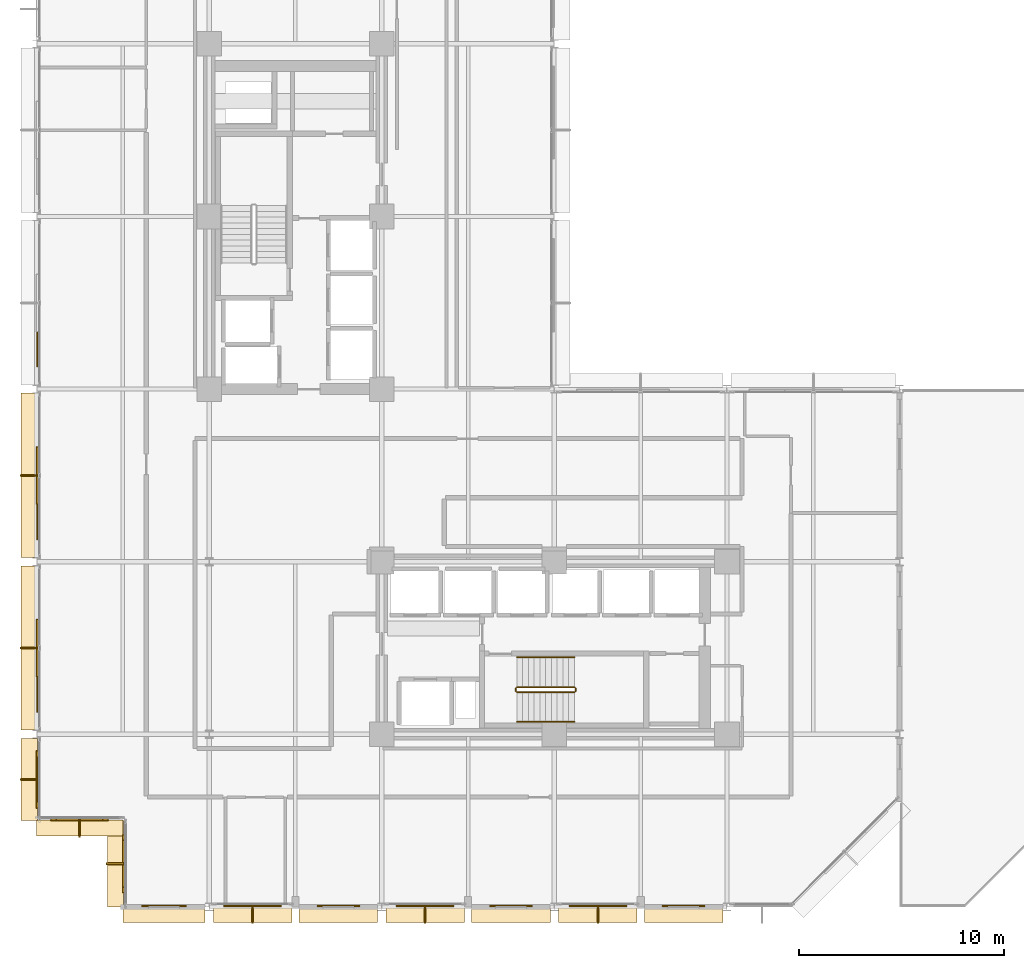
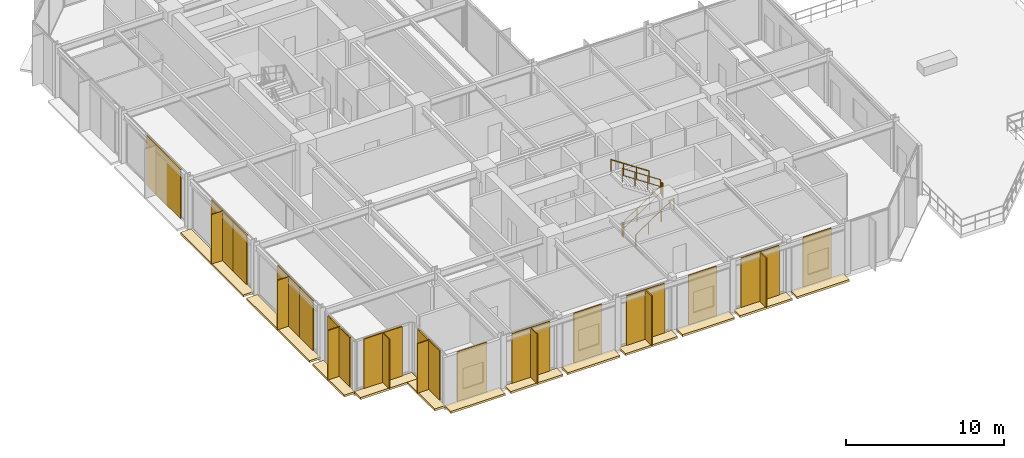
# One storey, part 22 of 25: 25 coverings, 16 shading devices, 6 railings.
"""IFC4 building model written with IfcOpenShell, lengths in metres."""

from ifc_helpers import new_model, si_unit, direction, frame, origin, origin_2d, place, context, subcontext, project, spatial, polyline, rectangle, circle, outline, extrude, material, layer, layer_set, type_object, element, save


model = new_model("IFC4")

# Units and contexts
model_context = context("Model", 3, precision=1e-05, world=origin(), true_north=direction((0.0, 1.0)))
body_context = subcontext(model_context, "Body", "Model", "MODEL_VIEW")
ifc_project = project(units=[si_unit("LENGTHUNIT", "METRE"), si_unit("AREAUNIT", "SQUARE_METRE"), si_unit("VOLUMEUNIT", "CUBIC_METRE"), si_unit("PLANEANGLEUNIT", "RADIAN"), si_unit("MASSUNIT", "GRAM", prefix="KILO")], contexts=[model_context])

# Site, building, storey
site_placement = place(None, origin())
site = spatial("IfcSite", under=ifc_project, at=site_placement, CompositionType="ELEMENT")
building_placement = place(site_placement, origin())
building = spatial("IfcBuilding", under=site, at=building_placement, Name="Nerrivon Quay Data Exchange", CompositionType="ELEMENT")
storey_placement = place(building_placement, frame((0.0, 0.0, 113.10009765625)))
storey = spatial("IfcBuildingStorey", under=building, at=storey_placement, Name="L26", CompositionType="ELEMENT", Elevation=113.10009765625)

# Coverings
ifc_material_1 = material(Name="Architectural terracotta ceramic", Category="masonry")
ifc_layer_1 = layer(ifc_material_1, 0.159912109375)
ifc_layer_set_1 = layer_set([ifc_layer_1], Name="Architectural terracotta ceramic")
covering_type_1 = type_object("IfcCoveringType", Name="COV-BLD-TERR", PredefinedType="CLADDING", material=ifc_layer_set_1)
covering_1_placement = place(storey_placement, frame((0.0, 0.0, -0.16015625)))
element("IfcCovering", 1, at=covering_1_placement, inside=storey, type_object=covering_type_1, Name="L26 Horizontal Terracotta SOLAR SCREEN Blade", PredefinedType="CLADDING", context=body_context, shape_type="SweptSolid", body=[
    extrude(outline(polyline([(33.39990234375, 0.0400390625), (29.574951171875, 0.0400390625), (29.574951171875, -0.75), (33.39990234375, -0.75), (33.39990234375, 0.0400390625)])), origin(), (0.0, 0.0, 1.0), 0.16015625),
])
covering_2_placement = place(storey_placement, frame((0.0, 0.0, -0.16015625)))
element("IfcCovering", 2, at=covering_2_placement, inside=storey, type_object=covering_type_1, Name="L26 Horizontal Terracotta SOLAR SCREEN Blade", PredefinedType="CLADDING", context=body_context, shape_type="SweptSolid", body=[
    extrude(outline(polyline([(29.22509765625, 0.0400390625), (25.39990234375, 0.0400390625), (25.39990234375, -0.75), (29.22509765625, -0.75), (29.22509765625, 0.0400390625)])), origin(), (0.0, 0.0, 1.0), 0.16015625),
])
covering_3_placement = place(storey_placement, frame((0.0, 0.0, -0.16015625)))
element("IfcCovering", 3, at=covering_3_placement, inside=storey, type_object=covering_type_1, Name="L26 Horizontal Terracotta SOLAR SCREEN Blade", PredefinedType="CLADDING", context=body_context, shape_type="SweptSolid", body=[
    extrude(outline(polyline([(25.0, 0.0400390625), (21.175048828125, 0.0400390625), (21.175048828125, -0.75), (25.0, -0.75), (25.0, 0.0400390625)])), origin(), (0.0, 0.0, 1.0), 0.16015625),
])
covering_4_placement = place(storey_placement, frame((0.0, 0.0, -0.16015625)))
element("IfcCovering", 4, at=covering_4_placement, inside=storey, type_object=covering_type_1, Name="L26 Horizontal Terracotta SOLAR SCREEN Blade", PredefinedType="CLADDING", context=body_context, shape_type="SweptSolid", body=[
    extrude(outline(polyline([(20.824951171875, 0.0400390625), (17.0, 0.0400390625), (17.0, -0.75), (20.824951171875, -0.75), (20.824951171875, 0.0400390625)])), origin(), (0.0, 0.0, 1.0), 0.16015625),
])
covering_5_placement = place(storey_placement, frame((0.0, 0.0, -0.16015625)))
element("IfcCovering", 5, at=covering_5_placement, inside=storey, type_object=covering_type_1, Name="L26 Horizontal Terracotta SOLAR SCREEN Blade", PredefinedType="CLADDING", context=body_context, shape_type="SweptSolid", body=[
    extrude(outline(polyline([(16.60009765625, 0.0400390625), (12.77490234375, 0.0400390625), (12.77490234375, -0.75), (16.60009765625, -0.75), (16.60009765625, 0.0400390625)])), origin(), (0.0, 0.0, 1.0), 0.16015625),
])
covering_6_placement = place(storey_placement, frame((0.0, 0.0, -0.16015625)))
element("IfcCovering", 6, at=covering_6_placement, inside=storey, type_object=covering_type_1, Name="L26 Horizontal Terracotta SOLAR SCREEN Blade", PredefinedType="CLADDING", context=body_context, shape_type="SweptSolid", body=[
    extrude(outline(polyline([(12.425048828125, 0.0400390625), (8.60009765625, 0.0400390625), (8.60009765625, -0.75), (12.425048828125, -0.75), (12.425048828125, 0.0400390625)])), origin(), (0.0, 0.0, 1.0), 0.16015625),
])
covering_7_placement = place(storey_placement, frame((0.0, 0.0, -0.16015625)))
element("IfcCovering", 7, at=covering_7_placement, inside=storey, type_object=covering_type_1, Name="L26 Horizontal Terracotta SOLAR SCREEN Blade", PredefinedType="CLADDING", context=body_context, shape_type="SweptSolid", body=[
    extrude(outline(polyline([(8.199951171875, 0.0400390625), (4.199951171875, 0.0400390625), (4.199951171875, -0.75), (8.199951171875, -0.75), (8.199951171875, 0.0400390625)])), origin(), (0.0, 0.0, 1.0), 0.16015625),
])
covering_8_placement = place(storey_placement, frame((0.0, 0.0, -0.16015625)))
element("IfcCovering", 8, at=covering_8_placement, inside=storey, type_object=covering_type_1, Name="L26 Horizontal Terracotta SOLAR SCREEN Blade", PredefinedType="CLADDING", context=body_context, shape_type="SweptSolid", body=[
    extrude(outline(polyline([(4.239990234375, 0.0), (4.239990234375, 4.199951171875), (3.449951171875, 4.199951171875), (3.449951171875, 0.0), (4.239990234375, 0.0)])), origin(), (0.0, 0.0, 1.0), 0.16015625),
])
covering_9_placement = place(storey_placement, frame((0.0, 0.0, -0.16015625)))
element("IfcCovering", 9, at=covering_9_placement, inside=storey, type_object=covering_type_1, Name="L26 Horizontal Terracotta SOLAR SCREEN Blade", PredefinedType="CLADDING", context=body_context, shape_type="SweptSolid", body=[
    extrude(outline(polyline([(4.199951171875, 4.239990234375), (0.0, 4.239990234375), (0.0, 3.449951171875), (4.199951171875, 3.449951171875), (4.199951171875, 4.239990234375)])), origin(), (0.0, 0.0, 1.0), 0.16015625),
])
covering_10_placement = place(storey_placement, frame((0.0, 0.0, -0.16015625)))
element("IfcCovering", 10, at=covering_10_placement, inside=storey, type_object=covering_type_1, Name="L26 Horizontal Terracotta SOLAR SCREEN Blade", PredefinedType="CLADDING", context=body_context, shape_type="SweptSolid", body=[
    extrude(outline(polyline([(0.0400390625, 4.199951171875), (0.0400390625, 8.199951171875), (-0.75, 8.199951171875), (-0.75, 4.199951171875), (0.0400390625, 4.199951171875)])), origin(), (0.0, 0.0, 1.0), 0.16015625),
])
covering_11_placement = place(storey_placement, frame((0.0, 0.0, -0.16015625)))
element("IfcCovering", 11, at=covering_11_placement, inside=storey, type_object=covering_type_1, Name="L26 Horizontal Terracotta SOLAR SCREEN Blade", PredefinedType="CLADDING", context=body_context, shape_type="SweptSolid", body=[
    extrude(outline(polyline([(0.0400390625, 8.60009765625), (0.0400390625, 16.60009765625), (-0.75, 16.60009765625), (-0.75, 8.60009765625), (0.0400390625, 8.60009765625)])), origin(), (0.0, 0.0, 1.0), 0.16015625),
])
covering_12_placement = place(storey_placement, frame((0.0, 0.0, -0.16015625)))
element("IfcCovering", 12, at=covering_12_placement, inside=storey, type_object=covering_type_1, Name="L26 Horizontal Terracotta SOLAR SCREEN Blade", PredefinedType="CLADDING", context=body_context, shape_type="SweptSolid", body=[
    extrude(outline(polyline([(0.0400390625, 17.0), (0.0400390625, 25.0), (-0.75, 25.0), (-0.75, 17.0), (0.0400390625, 17.0)])), origin(), (0.0, 0.0, 1.0), 0.16015625),
])
ifc_layer_2 = layer(ifc_material_1, 0.090087890625)
ifc_layer_set_2 = layer_set([ifc_layer_2], Name="Architectural terracotta ceramic")
covering_type_2 = type_object("IfcCoveringType", Name="COV-SCR-TERR", PredefinedType="CLADDING", material=ifc_layer_set_2)
covering_13_placement = place(storey_placement, frame((31.487548828125, 0.044921875, 0.0), z_axis=(0.0, 0.0, 1.0), x_axis=(-1.0, 0.0, 0.0)))
element("IfcCovering", 13, at=covering_13_placement, inside=storey, type_object=covering_type_2, Name="L26 Perforated Terracotta SOLAR SCREEN Cassette", PredefinedType="CLADDING", context=body_context, shape_type="SweptSolid", body=[
    extrude(rectangle(XDim=2.06494140625, YDim=0.090087890625, at=origin_2d()), origin(), (0.0, 0.0, 1.0), 3.824951171875),
])
covering_14_placement = place(storey_placement, frame((27.3125, 0.044921875, 0.0), z_axis=(0.0, 0.0, 1.0), x_axis=(-1.0, 0.0, 0.0)))
element("IfcCovering", 14, at=covering_14_placement, inside=storey, type_object=covering_type_2, Name="L26 Perforated Terracotta SOLAR SCREEN Cassette", PredefinedType="CLADDING", context=body_context, shape_type="SweptSolid", body=[
    extrude(rectangle(XDim=2.06591796875, YDim=0.090087890625, at=origin_2d()), origin(), (0.0, 0.0, 1.0), 3.824951171875),
])
for number, where, z_axis, x_axis, name in (
    (15, (23.08740234375, 0.044921875, 0.0), (0.0, 0.0, 1.0), (-1.0, 0.0, 0.0), "L26 Perforated Terracotta SOLAR SCREEN Cassette"),
    (16, (18.91259765625, 0.044921875, 0.0), (0.0, 0.0, 1.0), (-1.0, 0.0, 0.0), "L26 Perforated Terracotta SOLAR SCREEN Cassette"),
):
    element("IfcCovering", number, at=place(storey_placement, frame(where, z_axis=z_axis, x_axis=x_axis)), inside=storey, type_object=covering_type_2, Name=name, PredefinedType="CLADDING", context=body_context, shape_type="SweptSolid", body=[
        extrude(rectangle(XDim=2.06494140625, YDim=0.090087890625, at=origin_2d()), origin(), (0.0, 0.0, 1.0), 3.824951171875),
    ])
for number, where, z_axis, x_axis, name in (
    (17, (14.6875, 0.044921875, 0.0), (0.0, 0.0, 1.0), (-1.0, 0.0, 0.0), "L26 Perforated Terracotta SOLAR SCREEN Cassette"),
    (18, (10.512451171875, 0.044921875, 0.0), (0.0, 0.0, 1.0), (-1.0, 0.0, 0.0), "L26 Perforated Terracotta SOLAR SCREEN Cassette"),
):
    element("IfcCovering", number, at=place(storey_placement, frame(where, z_axis=z_axis, x_axis=x_axis)), inside=storey, type_object=covering_type_2, Name=name, PredefinedType="CLADDING", context=body_context, shape_type="SweptSolid", body=[
        extrude(rectangle(XDim=2.06591796875, YDim=0.090087890625, at=origin_2d()), origin(), (0.0, 0.0, 1.0), 3.824951171875),
    ])
covering_15_placement = place(storey_placement, frame((6.199951171875, 0.044921875, 0.0), z_axis=(0.0, 0.0, 1.0), x_axis=(-1.0, 0.0, 0.0)))
element("IfcCovering", 19, at=covering_15_placement, inside=storey, type_object=covering_type_2, Name="L26 Perforated Terracotta SOLAR SCREEN Cassette", PredefinedType="CLADDING", context=body_context, shape_type="SweptSolid", body=[
    extrude(rectangle(XDim=2.159912109375, YDim=0.090087890625, at=origin_2d()), origin(), (0.0, 0.0, 1.0), 3.824951171875),
])
for number, where, z_axis, x_axis, name in (
    (20, (4.2451171875, 2.10009765625, 0.0), (0.0, 0.0, 1.0), (0.0, 1.0, 0.0), "L26 Perforated Terracotta SOLAR SCREEN Cassette"),
    (21, (2.10009765625, 4.2451171875, 0.0), (0.0, 0.0, 1.0), (-1.0, 0.0, 0.0), "L26 Perforated Terracotta SOLAR SCREEN Cassette"),
):
    element("IfcCovering", number, at=place(storey_placement, frame(where, z_axis=z_axis, x_axis=x_axis)), inside=storey, type_object=covering_type_2, Name=name, PredefinedType="CLADDING", context=body_context, shape_type="SweptSolid", body=[
        extrude(rectangle(XDim=2.26806640625, YDim=0.090087890625, at=origin_2d()), origin(), (0.0, 0.0, 1.0), 3.824951171875),
    ])
covering_16_placement = place(storey_placement, frame((0.044921875, 6.199951171875, 0.0), z_axis=(0.0, 0.0, 1.0), x_axis=(0.0, 1.0, 0.0)))
element("IfcCovering", 22, at=covering_16_placement, inside=storey, type_object=covering_type_2, Name="L26 Perforated Terracotta SOLAR SCREEN Cassette", PredefinedType="CLADDING", context=body_context, shape_type="SweptSolid", body=[
    extrude(rectangle(XDim=2.159912109375, YDim=0.090087890625, at=origin_2d()), origin(), (0.0, 0.0, 1.0), 3.824951171875),
])
for number, where, z_axis, x_axis, name in (
    (23, (0.044921875, 11.639892578125, 0.0), (0.0, 0.0, 1.0), (0.0, 1.0, 0.0), "L26 Perforated Terracotta SOLAR SCREEN Cassette"),
    (24, (0.044921875, 20.0400390625, 0.0), (0.0, 0.0, 1.0), (0.0, 1.0, 0.0), "L26 Perforated Terracotta SOLAR SCREEN Cassette"),
    (25, (0.044921875, 28.43994140625, 0.0), (0.0, 0.0, 1.0), (0.0, 1.0, 0.0), "L26 Perforated Terracotta SOLAR SCREEN Cassette"),
):
    element("IfcCovering", number, at=place(storey_placement, frame(where, z_axis=z_axis, x_axis=x_axis)), inside=storey, type_object=covering_type_2, Name=name, PredefinedType="CLADDING", context=body_context, shape_type="SweptSolid", body=[
        extrude(rectangle(XDim=4.320068359375, YDim=0.090087890625, at=origin_2d()), origin(), (0.0, 0.0, 1.0), 3.824951171875),
    ])

# Railings
ifc_material_2 = material(Name="Steel Grade C350L0 (350 MPa)", Category="steel")
railing_type_1 = type_object("IfcRailingType", Name="RAIL-HAND-HR1", PredefinedType="HANDRAIL", material=ifc_material_2)
railing_1_placement = place(storey_placement, frame((23.3798828125, 9.0, 0.186279296875)))
element("IfcRailing", 26, at=railing_1_placement, inside=storey, type_object=railing_type_1, Name="L26 ST02 stair handrail 1", PredefinedType="HANDRAIL", context=body_context, shape_type="SweptSolid", body=[
    extrude(circle(Radius=0.02392578125, at=origin_2d()), frame((0.0, 0.0, 0.8759765625), z_axis=(0.832485552168, 0.0, 0.554046753832), x_axis=(0.0, 1.0, 0.0)), (0.0, 0.0, 1.0), 3.363525390625),
    extrude(circle(Radius=0.02099609375, at=origin_2d()), origin(), (0.0, 0.0, 1.0), 0.851806640625),
    extrude(circle(Radius=0.02099609375, at=origin_2d()), frame((0.933349609375, 0.0, 0.62109375)), (0.0, 0.0, 1.0), 0.851806640625),
    extrude(circle(Radius=0.02099609375, at=origin_2d()), frame((1.86669921875, 0.0, 1.242431640625)), (0.0, 0.0, 1.0), 0.851806640625),
    extrude(circle(Radius=0.02099609375, at=origin_2d()), frame((2.800048828125, 0.0, 1.863525390625)), (0.0, 0.0, 1.0), 0.851806640625),
])
railing_2_placement = place(storey_placement, frame((26.179931640625, 12.14990234375, 2.236328125)))
element("IfcRailing", 27, at=railing_2_placement, inside=storey, type_object=railing_type_1, Name="L26 ST02 stair handrail 2", PredefinedType="HANDRAIL", context=body_context, shape_type="SweptSolid", body=[
    extrude(circle(Radius=0.02392578125, at=origin_2d()), frame((0.0, 0.0, 0.8759765625), z_axis=(-0.832485552168, 0.0, 0.554046753832), x_axis=(0.0, -1.0, 0.0)), (0.0, 0.0, 1.0), 3.363525390625),
    extrude(circle(Radius=0.02099609375, at=origin_2d()), origin(), (0.0, 0.0, 1.0), 0.851806640625),
    extrude(circle(Radius=0.02099609375, at=origin_2d()), frame((-0.933349609375, 0.0, 0.62109375)), (0.0, 0.0, 1.0), 0.851806640625),
    extrude(circle(Radius=0.02099609375, at=origin_2d()), frame((-1.86669921875, 0.0, 1.242431640625)), (0.0, 0.0, 1.0), 0.851806640625),
    extrude(circle(Radius=0.02099609375, at=origin_2d()), frame((-2.800048828125, 0.0, 1.863525390625)), (0.0, 0.0, 1.0), 0.851806640625),
])
railing_type_2 = type_object("IfcRailingType", Name="RAIL-STAIR-GR1", PredefinedType="BALUSTRADE", material=ifc_material_2)
railing_3_placement = place(storey_placement, frame((23.3798828125, 10.449951171875, 0.186279296875)))
element("IfcRailing", 28, at=railing_3_placement, inside=storey, type_object=railing_type_2, Name="L26 ST02 stair guard 1", PredefinedType="BALUSTRADE", context=body_context, shape_type="SweptSolid", body=[
    extrude(circle(Radius=0.02392578125, at=origin_2d()), frame((0.0, 0.0, 1.076171875), z_axis=(0.832485552168, 0.0, 0.554046753832), x_axis=(0.0, 1.0, 0.0)), (0.0, 0.0, 1.0), 3.363525390625),
    extrude(circle(Radius=0.02392578125, at=origin_2d()), frame((0.0, 0.0, 0.550048828125), z_axis=(0.832485552168, 0.0, 0.554046753832), x_axis=(0.0, 1.0, 0.0)), (0.0, 0.0, 1.0), 3.363525390625),
    extrude(circle(Radius=0.02099609375, at=origin_2d()), origin(), (0.0, 0.0, 1.0), 1.052001953125),
    extrude(circle(Radius=0.02099609375, at=origin_2d()), frame((0.933349609375, 0.0, 0.62109375)), (0.0, 0.0, 1.0), 1.052001953125),
    extrude(circle(Radius=0.02099609375, at=origin_2d()), frame((1.86669921875, 0.0, 1.242431640625)), (0.0, 0.0, 1.0), 1.052001953125),
    extrude(circle(Radius=0.02099609375, at=origin_2d()), frame((2.800048828125, 0.0, 1.863525390625)), (0.0, 0.0, 1.0), 1.052001953125),
])
railing_4_placement = place(storey_placement, frame((26.22998046875, 10.5, 2.0498046875)))
element("IfcRailing", 29, at=railing_4_placement, inside=storey, type_object=railing_type_2, Name="L26 ST02 stair guard 2", PredefinedType="BALUSTRADE", context=body_context, shape_type="SweptSolid", body=[
    extrude(circle(Radius=0.02392578125, at=origin_2d()), frame((0.0, 0.0, 1.076171875), z_axis=(0.0, 1.0, 0.0), x_axis=(-1.0, 0.0, 0.0)), (0.0, 0.0, 1.0), 0.14990234375),
    extrude(circle(Radius=0.02392578125, at=origin_2d()), frame((0.0, 0.0, 0.550048828125), z_axis=(0.0, 1.0, 0.0), x_axis=(-1.0, 0.0, 0.0)), (0.0, 0.0, 1.0), 0.14990234375),
    extrude(circle(Radius=0.02099609375, at=origin_2d()), origin(), (0.0, 0.0, 1.0), 1.052001953125),
    extrude(circle(Radius=0.02099609375, at=origin_2d()), frame((0.0, 0.14990234375, 0.0)), (0.0, 0.0, 1.0), 1.052001953125),
])
railing_5_placement = place(storey_placement, frame((26.179931640625, 10.699951171875, 2.236328125)))
element("IfcRailing", 30, at=railing_5_placement, inside=storey, type_object=railing_type_2, Name="L26 ST02 stair guard 3", PredefinedType="BALUSTRADE", context=body_context, shape_type="SweptSolid", body=[
    extrude(circle(Radius=0.02392578125, at=origin_2d()), frame((0.0, 0.0, 1.076171875), z_axis=(-0.832485552168, 0.0, 0.554046753832), x_axis=(0.0, -1.0, 0.0)), (0.0, 0.0, 1.0), 3.363525390625),
    extrude(circle(Radius=0.02392578125, at=origin_2d()), frame((0.0, 0.0, 0.550048828125), z_axis=(-0.832485552168, 0.0, 0.554046753832), x_axis=(0.0, -1.0, 0.0)), (0.0, 0.0, 1.0), 3.363525390625),
    extrude(circle(Radius=0.02099609375, at=origin_2d()), origin(), (0.0, 0.0, 1.0), 1.052001953125),
    extrude(circle(Radius=0.02099609375, at=origin_2d()), frame((-0.933349609375, 0.0, 0.62109375)), (0.0, 0.0, 1.0), 1.052001953125),
    extrude(circle(Radius=0.02099609375, at=origin_2d()), frame((-1.86669921875, 0.0, 1.242431640625)), (0.0, 0.0, 1.0), 1.052001953125),
    extrude(circle(Radius=0.02099609375, at=origin_2d()), frame((-2.800048828125, 0.0, 1.863525390625)), (0.0, 0.0, 1.0), 1.052001953125),
])
railing_6_placement = place(storey_placement, frame((23.330078125, 10.5, 0.0)))
element("IfcRailing", 31, at=railing_6_placement, inside=storey, type_object=railing_type_2, Name="L26 ST02 stair guard 4", PredefinedType="BALUSTRADE", context=body_context, shape_type="SweptSolid", body=[
    extrude(circle(Radius=0.02392578125, at=origin_2d()), frame((0.0, 0.0, 1.076171875), z_axis=(0.0, 1.0, 0.0), x_axis=(-1.0, 0.0, 0.0)), (0.0, 0.0, 1.0), 0.14990234375),
    extrude(circle(Radius=0.02392578125, at=origin_2d()), frame((0.0, 0.0, 0.550048828125), z_axis=(0.0, 1.0, 0.0), x_axis=(-1.0, 0.0, 0.0)), (0.0, 0.0, 1.0), 0.14990234375),
    extrude(circle(Radius=0.02099609375, at=origin_2d()), origin(), (0.0, 0.0, 1.0), 1.052001953125),
    extrude(circle(Radius=0.02099609375, at=origin_2d()), frame((0.0, 0.14990234375, 0.0)), (0.0, 0.0, 1.0), 1.052001953125),
])

# Shading devices
ifc_layer_3 = layer(ifc_material_1, 0.074951171875)
ifc_layer_set_3 = layer_set([ifc_layer_3], Name="Architectural terracotta ceramic")
shading_device_type_1 = type_object("IfcShadingDeviceType", Name="SHD-FIN-SS02", PredefinedType="USERDEFINED", material=ifc_layer_set_3)
for number, where, z_axis, x_axis, name in (
    (32, (27.3125, -0.3798828125, 0.0), (0.0, 0.0, 1.0), (-1.0, 0.0, 0.0), "L26 Subtropical Solar Fin Blade 4"),
    (33, (18.91259765625, -0.3798828125, 0.0), (0.0, 0.0, 1.0), (-1.0, 0.0, 0.0), "L26 Subtropical Solar Fin Blade 6"),
    (34, (10.512451171875, -0.3798828125, 0.0), (0.0, 0.0, 1.0), (-1.0, 0.0, 0.0), "L26 Subtropical Solar Fin Blade 8"),
    (35, (3.820068359375, 2.10009765625, 0.0), (0.0, 0.0, 1.0), (0.0, 1.0, 0.0), "L26 Subtropical Solar Fin Blade 10"),
    (36, (2.10009765625, 3.820068359375, 0.0), (0.0, 0.0, 1.0), (-1.0, 0.0, 0.0), "L26 Subtropical Solar Fin Blade 11"),
    (37, (-0.3798828125, 6.199951171875, 0.0), (0.0, 0.0, 1.0), (0.0, 1.0, 0.0), "L26 Subtropical Solar Fin Blade 12"),
    (38, (-0.3798828125, 12.60009765625, 0.0), (0.0, 0.0, 1.0), (0.0, 1.0, 0.0), "L26 Subtropical Solar Fin Blade 13"),
    (39, (-0.3798828125, 21.0, 0.0), (0.0, 0.0, 1.0), (0.0, 1.0, 0.0), "L26 Subtropical Solar Fin Blade 14"),
):
    element("IfcShadingDevice", number, at=place(storey_placement, frame(where, z_axis=z_axis, x_axis=x_axis)), inside=storey, type_object=shading_device_type_1, Name=name, ObjectType="FIN", PredefinedType="USERDEFINED", context=body_context, shape_type="SweptSolid", body=[
        extrude(rectangle(XDim=0.074951171875, YDim=0.85009765625, at=origin_2d()), origin(), (0.0, 0.0, 1.0), 3.824951171875),
    ])
ifc_layer_4 = layer(ifc_material_1, 0.0849609375)
ifc_layer_set_4 = layer_set([ifc_layer_4], Name="Architectural terracotta ceramic")
shading_device_type_2 = type_object("IfcShadingDeviceType", Name="SHD-SCR-SS01", PredefinedType="USERDEFINED", material=ifc_layer_set_4)
for number, where, z_axis, x_axis, name in (
    (40, (27.3125, 0.0400390625, 0.0), (0.0, 0.0, 1.0), (-1.0, 0.0, 0.0), "L26 Perforated Terracotta Solar Screen 4"),
    (41, (18.91259765625, 0.0400390625, 0.0), (0.0, 0.0, 1.0), (-1.0, 0.0, 0.0), "L26 Perforated Terracotta Solar Screen 6"),
    (42, (10.512451171875, 0.0400390625, 0.0), (0.0, 0.0, 1.0), (-1.0, 0.0, 0.0), "L26 Perforated Terracotta Solar Screen 8"),
    (43, (4.239990234375, 2.10009765625, 0.0), (0.0, 0.0, 1.0), (0.0, 1.0, 0.0), "L26 Perforated Terracotta Solar Screen 10"),
    (44, (2.10009765625, 4.239990234375, 0.0), (0.0, 0.0, 1.0), (-1.0, 0.0, 0.0), "L26 Perforated Terracotta Solar Screen 11"),
    (45, (0.0400390625, 6.199951171875, 0.0), (0.0, 0.0, 1.0), (0.0, 1.0, 0.0), "L26 Perforated Terracotta Solar Screen 12"),
    (46, (0.0400390625, 12.60009765625, 0.0), (0.0, 0.0, 1.0), (0.0, 1.0, 0.0), "L26 Perforated Terracotta Solar Screen 13"),
    (47, (0.0400390625, 21.0, 0.0), (0.0, 0.0, 1.0), (0.0, 1.0, 0.0), "L26 Perforated Terracotta Solar Screen 14"),
):
    element("IfcShadingDevice", number, at=place(storey_placement, frame(where, z_axis=z_axis, x_axis=x_axis)), inside=storey, type_object=shading_device_type_2, Name=name, ObjectType="SCREEN", PredefinedType="USERDEFINED", context=body_context, shape_type="SweptSolid", body=[
        extrude(rectangle(XDim=2.800048828125, YDim=0.0849609375, at=origin_2d()), origin(), (0.0, 0.0, 1.0), 3.824951171875),
    ])

save(model, "model.ifc")
